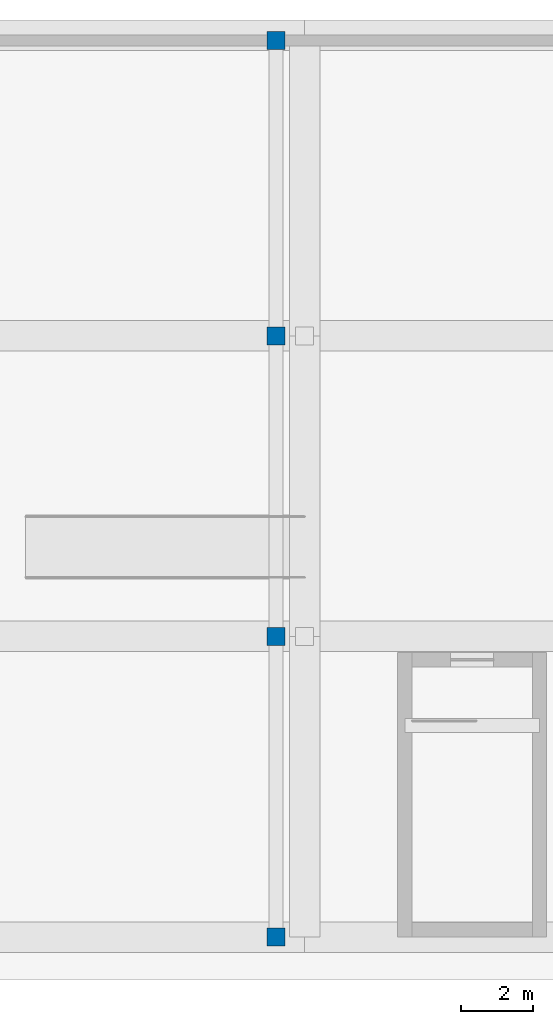
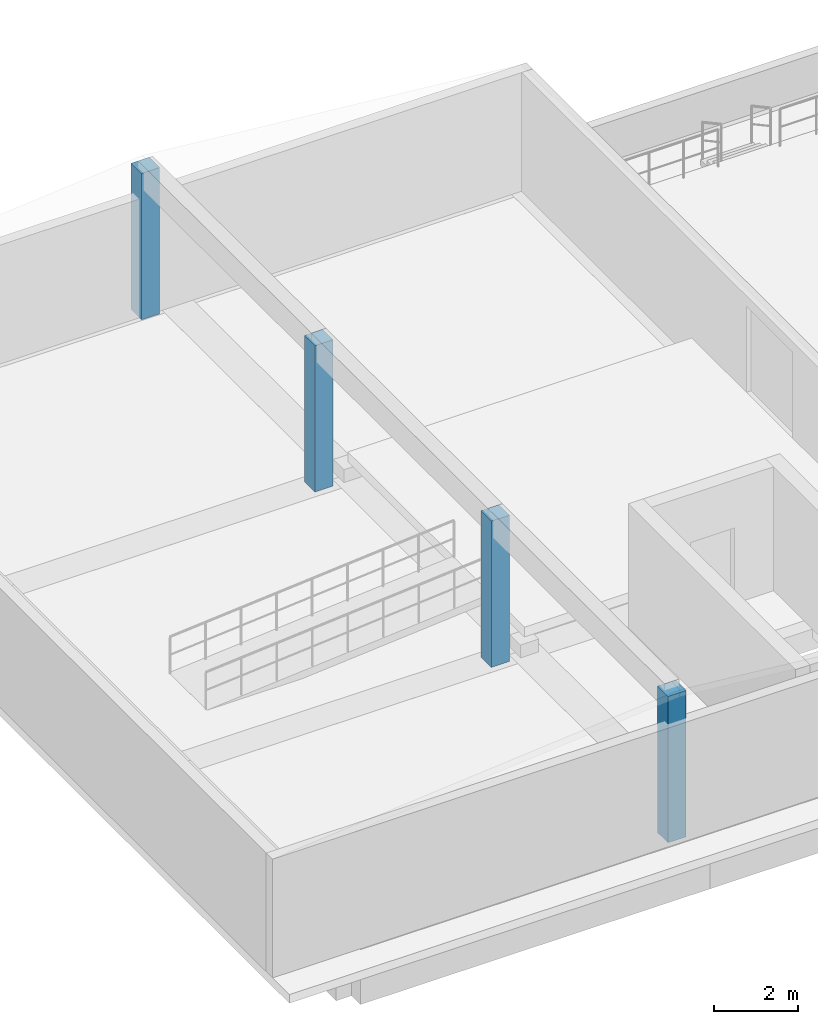
# One storey, part 1 of 8: 4 columns.
"""IFC4 building model written with IfcOpenShell, lengths in metres."""

import ifcopenshell
import ifcopenshell.guid

model = None  # the IFC model being written
_history = None  # IfcOwnerHistory: only IFC2X3 demands one
_inside = {}  # id of a spatial element -> (the spatial element, [elements in it])
_under = {}  # id of a project, library or spatial element -> (it, [spatial elements below it])
_declared = {}  # id of a project -> (the project, [libraries it declares])
_typed = {}  # id of a type object -> (the type object, [elements of that type])
_made_of = {}  # id of a material, layer set ... -> (it, [elements and type objects made of it])


def new_model(schema):
    """Start an empty IFC model of exactly this schema.

    Asked for "IFC4X3", IfcOpenShell would pick the latest addendum, in which some entities
    have other attributes; the version numbers below select the first issue.
    IFC2X3 requires an IfcOwnerHistory on every rooted entity: one is made here for all.
    """
    global model, _history
    if schema == "IFC4X3":
        model = ifcopenshell.file(schema_version=(4, 3, 0, 0))
    else:
        model = ifcopenshell.file(schema=schema)
    _inside.clear()
    _under.clear()
    _declared.clear()
    _typed.clear()
    _made_of.clear()
    _history = None
    if model.schema == "IFC2X3":
        org = make("IfcOrganization", Name="unknown")
        user = make(
            "IfcPersonAndOrganization",
            ThePerson=make("IfcPerson", FamilyName="unknown"),
            TheOrganization=org,
        )
        app = make(
            "IfcApplication",
            ApplicationDeveloper=org,
            Version="unknown",
            ApplicationFullName="unknown",
            ApplicationIdentifier="unknown",
        )
        _history = make(
            "IfcOwnerHistory",
            OwningUser=user,
            OwningApplication=app,
            ChangeAction="ADDED",
            CreationDate=0,
        )
    return model


def make(cls, **values):
    """One entity of the class cls with the attributes given. An attribute that is None is left unset."""
    return model.create_entity(
        cls, **{name: value for name, value in values.items() if value is not None}
    )


def rooted(cls, **values):
    """An entity with a GlobalId (a new one), such as an element, a storey or a relation."""
    return make(cls, GlobalId=ifcopenshell.guid.new(), OwnerHistory=_history, **values)


def si_unit(unit_type, name, prefix=None):
    """IfcSIUnit, for example si_unit("LENGTHUNIT", "METRE", prefix="MILLI")."""
    return make("IfcSIUnit", UnitType=unit_type, Prefix=prefix, Name=name)


def assignment(units):
    """IfcUnitAssignment: the units of a project."""
    return None if units is None else make("IfcUnitAssignment", Units=units)


def point(xyz):
    """IfcCartesianPoint."""
    return None if xyz is None else make("IfcCartesianPoint", Coordinates=xyz)


def direction(xyz):
    """IfcDirection."""
    return None if xyz is None else make("IfcDirection", DirectionRatios=xyz)


def frame(location, z_axis=None, x_axis=None):
    """IfcAxis2Placement3D, a coordinate frame: its origin and axes. An axis left out is left unset."""
    return make(
        "IfcAxis2Placement3D",
        Location=point(location),
        Axis=direction(z_axis),
        RefDirection=direction(x_axis),
    )


def frame_2d(location, x_axis=None):
    """IfcAxis2Placement2D, a coordinate frame in the plane: its origin and x axis."""
    return make(
        "IfcAxis2Placement2D", Location=point(location), RefDirection=direction(x_axis)
    )


def origin():
    """The frame at (0, 0, 0) with its axes left unset."""
    return frame((0.0, 0.0, 0.0))


def origin_2d():
    """The frame at (0, 0) in the plane with its x axis left unset."""
    return frame_2d((0.0, 0.0))


def place(relative_to, where):
    """IfcLocalPlacement: puts the frame where relative to a parent placement (None: the world)."""
    return make(
        "IfcLocalPlacement", PlacementRelTo=relative_to, RelativePlacement=where
    )


def context(
    kind, dimensions, precision=None, world=None, true_north=None, identifier=None
):
    """IfcGeometricRepresentationContext, for example the 3D "Model" context."""
    return make(
        "IfcGeometricRepresentationContext",
        ContextIdentifier=identifier,
        ContextType=kind,
        CoordinateSpaceDimension=dimensions,
        Precision=precision,
        WorldCoordinateSystem=world,
        TrueNorth=true_north,
    )


def subcontext(parent, identifier, kind, view, scale=None):
    """IfcGeometricRepresentationSubContext, for example "Body" below "Model"."""
    return make(
        "IfcGeometricRepresentationSubContext",
        ContextIdentifier=identifier,
        ContextType=kind,
        ParentContext=parent,
        TargetScale=scale,
        TargetView=view,
    )


def project(units=None, contexts=None):
    """IfcProject with its units and contexts."""
    return rooted(
        "IfcProject",
        Name="project",
        RepresentationContexts=contexts,
        UnitsInContext=assignment(units),
    )


def spatial(cls, under=None, at=None, **own):
    """A site, building, storey or space (cls), placed at a placement, below another one or the project."""
    s = rooted(cls, ObjectPlacement=at, **own)
    if under is not None:
        _under.setdefault(under.id(), (under, []))[1].append(s)
    return s


def profile(cls, at=None, kind="AREA", **sizes):
    """A parametric profile (cls). Its sizes go by their IFC names, for example OverallWidth=200.0."""
    return make(cls, ProfileType=kind, Position=at, **sizes)


def rectangle(**sizes):
    """IfcRectangleProfileDef."""
    return profile("IfcRectangleProfileDef", **sizes)


def extrude(swept, where, along, depth):
    """IfcExtrudedAreaSolid: the profile swept, set in the frame where, extruded along a direction by depth."""
    return make(
        "IfcExtrudedAreaSolid",
        SweptArea=swept,
        Position=where,
        ExtrudedDirection=direction(along),
        Depth=depth,
    )


def shape(context_of_items, identifier, shape_type, items):
    """IfcShapeRepresentation: the items that make up one representation, for example the "Body"."""
    return make(
        "IfcShapeRepresentation",
        ContextOfItems=context_of_items,
        RepresentationIdentifier=identifier,
        RepresentationType=shape_type,
        Items=items,
    )


def material(Name=None, Category=None):
    """IfcMaterial."""
    return make("IfcMaterial", Name=Name, Category=Category)


def material_profile(
    of_material, cross_section, Name=None, Category=None, Priority=None
):
    """IfcMaterialProfile: a cross section and its material."""
    return make(
        "IfcMaterialProfile",
        Name=Name,
        Material=of_material,
        Profile=cross_section,
        Priority=Priority,
        Category=Category,
    )


def profile_set(profiles, Name=None, composite=None):
    """IfcMaterialProfileSet."""
    return make(
        "IfcMaterialProfileSet",
        Name=Name,
        MaterialProfiles=profiles,
        CompositeProfile=composite,
    )


def made_of(thing, what):
    """Note that an element or type object is made of a material, layer set ...; save() writes the relation."""
    if what is not None:
        _made_of.setdefault(what.id(), (what, []))[1].append(thing)
    return thing


def type_object(cls, material=None, **own):
    """A type object (cls), such as IfcWallType, which elements share."""
    return made_of(rooted(cls, **own), material)


def element(
    cls,
    number,
    at=None,
    inside=None,
    cuts=None,
    type_object=None,
    material=None,
    context=None,
    identifier="Body",
    shape_type=None,
    held_by="IfcProductDefinitionShape",
    body=None,
    shapes=None,
    **own,
):
    """One element of the class cls, such as IfcWall. Its Tag is "e" and its number.

    at: its placement. inside: the storey or other place that contains it. cuts: it is an
    opening in that element (IfcRelVoidsElement). A single representation is given by context,
    identifier, shape_type and body (its items); several are given by shapes. held_by: the class
    of the entity that holds the representations. save() writes the other relations.
    """
    e = rooted(cls, Tag="e%d" % number, ObjectPlacement=at, **own)
    if body is not None:
        shapes = [shape(context, identifier, shape_type, body)]
    if shapes is not None:
        e.Representation = make(held_by, Representations=shapes)
    if inside is not None:
        _inside.setdefault(inside.id(), (inside, []))[1].append(e)
    if cuts is not None:
        rooted(
            "IfcRelVoidsElement", RelatingBuildingElement=cuts, RelatedOpeningElement=e
        )
    if type_object is not None:
        _typed.setdefault(type_object.id(), (type_object, []))[1].append(e)
    return made_of(e, material)


def aggregate(whole, parts):
    """IfcRelAggregates: a whole, such as a stair, and the parts it consists of."""
    return rooted("IfcRelAggregates", RelatingObject=whole, RelatedObjects=parts)


def save(model, path):
    """Write the relations noted so far, then the file.

    IfcRelAggregates (storeys below a building ...), IfcRelContainedInSpatialStructure (elements
    in a storey), IfcRelDefinesByType, IfcRelAssociatesMaterial and IfcRelDeclares: one each for
    every whole, place, type object, material and project.
    """
    for whole, parts in _under.values():
        aggregate(whole, parts)
    for where, things in _inside.values():
        rooted(
            "IfcRelContainedInSpatialStructure",
            RelatedElements=things,
            RelatingStructure=where,
        )
    for kind, things in _typed.values():
        rooted("IfcRelDefinesByType", RelatedObjects=things, RelatingType=kind)
    for what, things in _made_of.values():
        rooted("IfcRelAssociatesMaterial", RelatedObjects=things, RelatingMaterial=what)
    for by, libraries in _declared.values():
        rooted("IfcRelDeclares", RelatingContext=by, RelatedDefinitions=libraries)
    model.write(path)


model = new_model("IFC4")

# Units and contexts
model_context = context("Model", 3, precision=1e-05, world=origin(), true_north=direction((0.0, 1.0)))
body_context = subcontext(model_context, "Body", "Model", "MODEL_VIEW")
ifc_project = project(units=[si_unit("LENGTHUNIT", "METRE"), si_unit("AREAUNIT", "SQUARE_METRE"), si_unit("VOLUMEUNIT", "CUBIC_METRE"), si_unit("PLANEANGLEUNIT", "RADIAN"), si_unit("MASSUNIT", "GRAM", prefix="KILO")], contexts=[model_context])

# Site, building, storey
site_placement = place(None, origin())
site = spatial("IfcSite", under=ifc_project, at=site_placement, CompositionType="ELEMENT")
building_placement = place(site_placement, origin())
building = spatial("IfcBuilding", under=site, at=building_placement, Name="Oolite Switchyard Hospital", CompositionType="ELEMENT")
storey_placement = place(building_placement, frame((0.0, 0.0, 34.60009765625)))
storey = spatial("IfcBuildingStorey", under=building, at=storey_placement, Name="RF", CompositionType="ELEMENT", Elevation=34.60009765625)

# Columns
ifc_material = material(Name="Concrete C50/60", Category="concrete")
ifc_material_profile = material_profile(ifc_material, rectangle(XDim=0.5, YDim=0.5, at=origin_2d()), Name="RC500X500")
ifc_profile_set = profile_set([ifc_material_profile], Name="Concrete C50/60")
column_type = type_object("IfcColumnType", Name="COL-RC500", PredefinedType="COLUMN", material=ifc_profile_set)
for number, where, z_axis, x_axis, name in (
    (1, (152.800048828125, 109.199951171875, 0.0), (0.0, 0.0, 1.0), (1.0, 0.0, 0.0), "RF Headhouse Gable Ridge Column 1"),
    (2, (152.800048828125, 117.60009765625, 0.0), (0.0, 0.0, 1.0), (1.0, 0.0, 0.0), "RF Headhouse Gable Ridge Column 2"),
    (3, (152.800048828125, 126.0, 0.0), (0.0, 0.0, 1.0), (1.0, 0.0, 0.0), "RF Headhouse Gable Ridge Column 3"),
    (4, (152.800048828125, 134.25, 0.0), (0.0, 0.0, 1.0), (1.0, 0.0, 0.0), "RF Headhouse Gable Ridge Column 4"),
):
    element("IfcColumn", number, at=place(storey_placement, frame(where, z_axis=z_axis, x_axis=x_axis)), inside=storey, type_object=column_type, Name=name, PredefinedType="COLUMN", context=body_context, shape_type="SweptSolid", body=[
        extrude(rectangle(XDim=0.5, YDim=0.5, at=origin_2d()), origin(), (0.0, 0.0, 1.0), 4.25),
    ])

save(model, "model.ifc")
